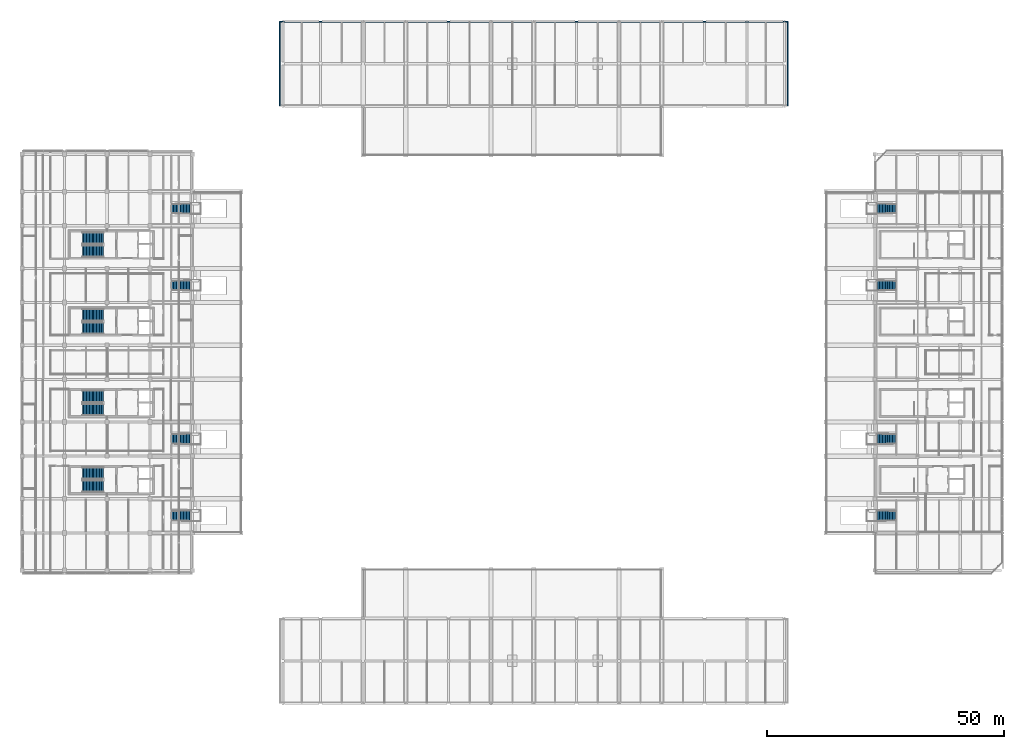
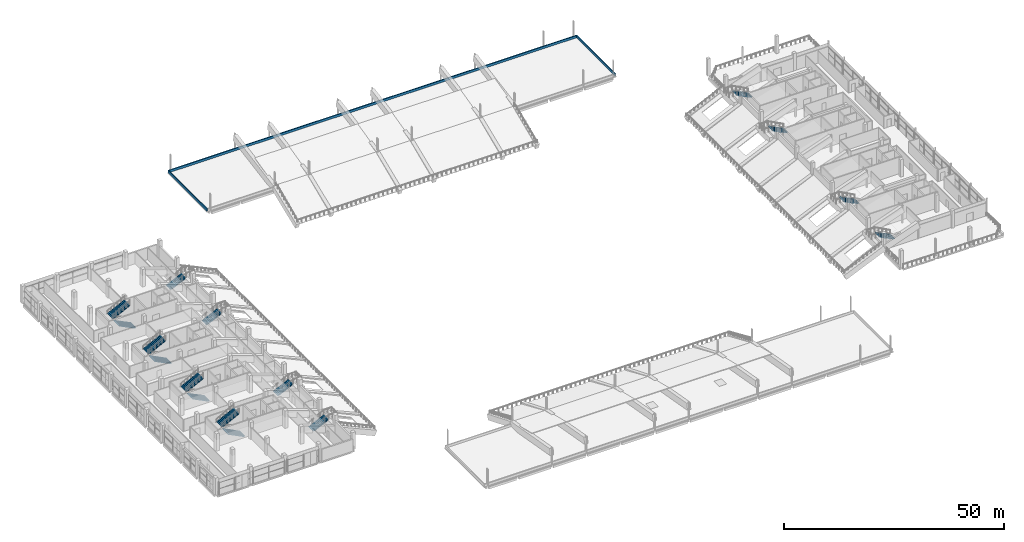
# One storey, part 55 of 66: 16 stair flights, 3 walls, 12 elements without a shape of their own.
"""IFC4 building model written with IfcOpenShell, lengths in metres."""

from ifc_helpers import new_model, si_unit, direction, frame, frame_2d, origin, place, context, subcontext, project, spatial, polyline, rectangle, outline, extrude, material, layer, layer_set, type_object, element, aggregate, save


model = new_model("IFC4")

# Units and contexts
model_context = context("Model", 3, precision=1e-05, world=origin(), true_north=direction((0.0, 1.0)))
body_context = subcontext(model_context, "Body", "Model", "MODEL_VIEW")
ifc_project = project(units=[si_unit("LENGTHUNIT", "METRE"), si_unit("AREAUNIT", "SQUARE_METRE"), si_unit("VOLUMEUNIT", "CUBIC_METRE"), si_unit("PLANEANGLEUNIT", "RADIAN"), si_unit("MASSUNIT", "GRAM", prefix="KILO"), si_unit("THERMODYNAMICTEMPERATUREUNIT", "KELVIN"), si_unit("POWERUNIT", "WATT")], contexts=[model_context])

# Site, building, storey
site_placement = place(None, origin())
site = spatial("IfcSite", under=ifc_project, at=site_placement, CompositionType="ELEMENT")
building_placement = place(site_placement, origin())
building = spatial("IfcBuilding", under=site, at=building_placement, Name="Sindhuravela Promenade Stadium", CompositionType="ELEMENT")
storey_placement = place(building_placement, frame((0.0, 0.0, 19.199951171875)))
storey = spatial("IfcBuildingStorey", under=building, at=storey_placement, Name="L04", CompositionType="ELEMENT", Elevation=19.199951171875)

# Walls
ifc_material_1 = material(Name="Dholpur sandstone ashlar (45 MPa)", Category="masonry")
ifc_layer_1 = layer(ifc_material_1, 0.25)
ifc_layer_set_1 = layer_set([ifc_layer_1], Name="Dholpur sandstone ashlar (45 MPa)")
wall_type_1 = type_object("IfcWallType", Name="EX-WL-PAR250", PredefinedType="PARAPET", material=ifc_layer_set_1)
for number, where, z_axis, x_axis, name in (
    (1, (161.590087890625, 152.840087890625, 0.0), (0.0, 0.0, 1.0), (0.0, -1.0, 0.0), "Maintenance roof parapet NORTH 9"),
    (2, (54.409912109375, 135.159912109375, 0.0), (0.0, 0.0, 1.0), (0.0, 1.0, 0.0), "Maintenance roof parapet NORTH 11"),
):
    element("IfcWall", number, at=place(storey_placement, frame(where, z_axis=z_axis, x_axis=x_axis)), inside=storey, type_object=wall_type_1, Name=name, PredefinedType="PARAPET", context=body_context, shape_type="SweptSolid", body=[
        extrude(rectangle(XDim=17.68017578125, YDim=0.25, at=frame_2d((8.840087890625, 0.0))), origin(), (0.0, 0.0, 1.0), 0.650146484375),
    ])
ifc_material_2 = material(Name="Terracotta clay brick masonry (15 MPa)", Category="masonry")
ifc_layer_2 = layer(ifc_material_2, 0.27001953125)
ifc_layer_set_2 = layer_set([ifc_layer_2], Name="Terracotta clay brick masonry (15 MPa)")
wall_type_2 = type_object("IfcWallType", Name="EX-WL-PAR270", PredefinedType="PARAPET", material=ifc_layer_set_2)
wall_placement = place(storey_placement, frame((54.409912109375, 152.840087890625, 0.0), z_axis=(0.0, 0.0, 1.0), x_axis=(1.0, 0.0, 0.0)))
element("IfcWall", 3, at=wall_placement, inside=storey, type_object=wall_type_2, Name="Maintenance roof parapet NORTH 12", PredefinedType="PARAPET", context=body_context, shape_type="SweptSolid", body=[
    extrude(rectangle(XDim=107.18017578125, YDim=0.27001953125, at=frame_2d((53.590087890625, 0.0))), origin(), (0.0, 0.0, 1.0), 0.650146484375),
])

# Stair, stair flights
ifc_material_3 = material(Name="Concrete M40", Category="concrete")
stair_type_1 = type_object("IfcStairType", Name="ST-CORE-DOGLEG", PredefinedType="HALF_TURN_STAIR", material=ifc_material_3)
stair_1_placement = place(storey_placement, origin())
stair_1 = element("IfcStair", 4, at=stair_1_placement, inside=storey, type_object=stair_type_1, Name="Protected escape stair ST01 (L04)", PredefinedType="HALF_TURN_STAIR")
stair_flight_type_1 = type_object("IfcStairFlightType", Name="SF-CORE-2400", PredefinedType="STRAIGHT", material=ifc_material_3)
stair_flight_1_placement = place(storey_placement, frame((17.25, 54.7900390625, 0.0), z_axis=(0.0, 0.0, 1.0), x_axis=(-1.0, 0.0, 0.0)))
stair_flight_1 = element("IfcStairFlight", 5, at=stair_flight_1_placement, type_object=stair_flight_type_1, Name="Stair ST01 lower flight (L04)", NumberOfRisers=16, NumberOfTreads=15, PredefinedType="STRAIGHT", RiserHeight=0.15, TreadLength=0.3, context=body_context, shape_type="SweptSolid", body=[
    extrude(outline(polyline([(0.0, 0.0), (0.0, 0.14990234375), (0.300048828125, 0.14990234375), (0.300048828125, 0.300048828125), (0.60009765625, 0.300048828125), (0.60009765625, 0.449951171875), (0.89990234375, 0.449951171875), (0.89990234375, 0.60009765625), (1.199951171875, 0.60009765625), (1.199951171875, 0.75), (1.5, 0.75), (1.5, 0.89990234375), (1.800048828125, 0.89990234375), (1.800048828125, 1.050048828125), (2.10009765625, 1.050048828125), (2.10009765625, 1.199951171875), (2.39990234375, 1.199951171875), (2.39990234375, 1.35009765625), (2.699951171875, 1.35009765625), (2.699951171875, 1.5), (3.0, 1.5), (3.0, 1.64990234375), (3.300048828125, 1.64990234375), (3.300048828125, 1.800048828125), (3.60009765625, 1.800048828125), (3.60009765625, 1.949951171875), (3.89990234375, 1.949951171875), (3.89990234375, 2.10009765625), (4.199951171875, 2.10009765625), (4.199951171875, 2.25), (4.5, 2.25), (4.5, 2.39990234375), (4.5, 2.0263671875), (0.447021484375, 0.0), (0.0, 0.0)])), frame((0.0, 1.25, 0.0), z_axis=(0.0, -1.0, 0.0), x_axis=(1.0, 0.0, 0.0)), (0.0, 0.0, 1.0), 2.5),
])
stair_flight_2_placement = place(storey_placement, frame((12.75, 57.610107421875, 2.400146484375), z_axis=(0.0, 0.0, 1.0), x_axis=(1.0, 0.0, 0.0)))
stair_flight_2 = element("IfcStairFlight", 6, at=stair_flight_2_placement, type_object=stair_flight_type_1, Name="Stair ST01 upper flight (L04)", NumberOfRisers=16, NumberOfTreads=15, PredefinedType="STRAIGHT", RiserHeight=0.15, TreadLength=0.3, context=body_context, shape_type="SweptSolid", body=[
    extrude(outline(polyline([(0.0, 0.0), (0.0, 0.14990234375), (0.300048828125, 0.14990234375), (0.300048828125, 0.300048828125), (0.60009765625, 0.300048828125), (0.60009765625, 0.449951171875), (0.89990234375, 0.449951171875), (0.89990234375, 0.60009765625), (1.199951171875, 0.60009765625), (1.199951171875, 0.75), (1.5, 0.75), (1.5, 0.89990234375), (1.800048828125, 0.89990234375), (1.800048828125, 1.050048828125), (2.10009765625, 1.050048828125), (2.10009765625, 1.199951171875), (2.39990234375, 1.199951171875), (2.39990234375, 1.35009765625), (2.699951171875, 1.35009765625), (2.699951171875, 1.5), (3.0, 1.5), (3.0, 1.64990234375), (3.300048828125, 1.64990234375), (3.300048828125, 1.800048828125), (3.60009765625, 1.800048828125), (3.60009765625, 1.949951171875), (3.89990234375, 1.949951171875), (3.89990234375, 2.10009765625), (4.199951171875, 2.10009765625), (4.199951171875, 2.25), (4.5, 2.25), (4.5, 2.39990234375), (4.5, 2.0263671875), (0.447021484375, 0.0), (0.0, 0.0)])), frame((0.0, 1.25, 0.0), z_axis=(0.0, -1.0, 0.0), x_axis=(1.0, 0.0, 0.0)), (0.0, 0.0, 1.0), 2.5),
])
aggregate(stair_1, [stair_flight_1, stair_flight_2])

stair_2_placement = place(storey_placement, origin())
stair_2 = element("IfcStair", 7, at=stair_2_placement, inside=storey, type_object=stair_type_1, Name="Protected escape stair ST02 (L04)", PredefinedType="HALF_TURN_STAIR")
stair_flight_3_placement = place(storey_placement, frame((17.25, 70.989990234375, 0.0), z_axis=(0.0, 0.0, 1.0), x_axis=(-1.0, 0.0, 0.0)))
stair_flight_3 = element("IfcStairFlight", 8, at=stair_flight_3_placement, type_object=stair_flight_type_1, Name="Stair ST02 lower flight (L04)", NumberOfRisers=16, NumberOfTreads=15, PredefinedType="STRAIGHT", RiserHeight=0.15, TreadLength=0.3, context=body_context, shape_type="SweptSolid", body=[
    extrude(outline(polyline([(0.0, 0.0), (0.0, 0.14990234375), (0.300048828125, 0.14990234375), (0.300048828125, 0.300048828125), (0.60009765625, 0.300048828125), (0.60009765625, 0.449951171875), (0.89990234375, 0.449951171875), (0.89990234375, 0.60009765625), (1.199951171875, 0.60009765625), (1.199951171875, 0.75), (1.5, 0.75), (1.5, 0.89990234375), (1.800048828125, 0.89990234375), (1.800048828125, 1.050048828125), (2.10009765625, 1.050048828125), (2.10009765625, 1.199951171875), (2.39990234375, 1.199951171875), (2.39990234375, 1.35009765625), (2.699951171875, 1.35009765625), (2.699951171875, 1.5), (3.0, 1.5), (3.0, 1.64990234375), (3.300048828125, 1.64990234375), (3.300048828125, 1.800048828125), (3.60009765625, 1.800048828125), (3.60009765625, 1.949951171875), (3.89990234375, 1.949951171875), (3.89990234375, 2.10009765625), (4.199951171875, 2.10009765625), (4.199951171875, 2.25), (4.5, 2.25), (4.5, 2.39990234375), (4.5, 2.0263671875), (0.447021484375, 0.0), (0.0, 0.0)])), frame((0.0, 1.25, 0.0), z_axis=(0.0, -1.0, 0.0), x_axis=(1.0, 0.0, 0.0)), (0.0, 0.0, 1.0), 2.5),
])
stair_flight_4_placement = place(storey_placement, frame((12.75, 73.81005859375, 2.400146484375), z_axis=(0.0, 0.0, 1.0), x_axis=(1.0, 0.0, 0.0)))
stair_flight_4 = element("IfcStairFlight", 9, at=stair_flight_4_placement, type_object=stair_flight_type_1, Name="Stair ST02 upper flight (L04)", NumberOfRisers=16, NumberOfTreads=15, PredefinedType="STRAIGHT", RiserHeight=0.15, TreadLength=0.3, context=body_context, shape_type="SweptSolid", body=[
    extrude(outline(polyline([(0.0, 0.0), (0.0, 0.14990234375), (0.300048828125, 0.14990234375), (0.300048828125, 0.300048828125), (0.60009765625, 0.300048828125), (0.60009765625, 0.449951171875), (0.89990234375, 0.449951171875), (0.89990234375, 0.60009765625), (1.199951171875, 0.60009765625), (1.199951171875, 0.75), (1.5, 0.75), (1.5, 0.89990234375), (1.800048828125, 0.89990234375), (1.800048828125, 1.050048828125), (2.10009765625, 1.050048828125), (2.10009765625, 1.199951171875), (2.39990234375, 1.199951171875), (2.39990234375, 1.35009765625), (2.699951171875, 1.35009765625), (2.699951171875, 1.5), (3.0, 1.5), (3.0, 1.64990234375), (3.300048828125, 1.64990234375), (3.300048828125, 1.800048828125), (3.60009765625, 1.800048828125), (3.60009765625, 1.949951171875), (3.89990234375, 1.949951171875), (3.89990234375, 2.10009765625), (4.199951171875, 2.10009765625), (4.199951171875, 2.25), (4.5, 2.25), (4.5, 2.39990234375), (4.5, 2.0263671875), (0.447021484375, 0.0), (0.0, 0.0)])), frame((0.0, 1.25, 0.0), z_axis=(0.0, -1.0, 0.0), x_axis=(1.0, 0.0, 0.0)), (0.0, 0.0, 1.0), 2.5),
])
aggregate(stair_2, [stair_flight_3, stair_flight_4])

stair_3_placement = place(storey_placement, origin())
stair_3 = element("IfcStair", 10, at=stair_3_placement, inside=storey, type_object=stair_type_1, Name="Protected escape stair ST03 (L04)", PredefinedType="HALF_TURN_STAIR")
stair_flight_5_placement = place(storey_placement, frame((17.25, 88.18994140625, 0.0), z_axis=(0.0, 0.0, 1.0), x_axis=(-1.0, 0.0, 0.0)))
stair_flight_5 = element("IfcStairFlight", 11, at=stair_flight_5_placement, type_object=stair_flight_type_1, Name="Stair ST03 lower flight (L04)", NumberOfRisers=16, NumberOfTreads=15, PredefinedType="STRAIGHT", RiserHeight=0.15, TreadLength=0.3, context=body_context, shape_type="SweptSolid", body=[
    extrude(outline(polyline([(0.0, 0.0), (0.0, 0.14990234375), (0.300048828125, 0.14990234375), (0.300048828125, 0.300048828125), (0.60009765625, 0.300048828125), (0.60009765625, 0.449951171875), (0.89990234375, 0.449951171875), (0.89990234375, 0.60009765625), (1.199951171875, 0.60009765625), (1.199951171875, 0.75), (1.5, 0.75), (1.5, 0.89990234375), (1.800048828125, 0.89990234375), (1.800048828125, 1.050048828125), (2.10009765625, 1.050048828125), (2.10009765625, 1.199951171875), (2.39990234375, 1.199951171875), (2.39990234375, 1.35009765625), (2.699951171875, 1.35009765625), (2.699951171875, 1.5), (3.0, 1.5), (3.0, 1.64990234375), (3.300048828125, 1.64990234375), (3.300048828125, 1.800048828125), (3.60009765625, 1.800048828125), (3.60009765625, 1.949951171875), (3.89990234375, 1.949951171875), (3.89990234375, 2.10009765625), (4.199951171875, 2.10009765625), (4.199951171875, 2.25), (4.5, 2.25), (4.5, 2.39990234375), (4.5, 2.0263671875), (0.447021484375, 0.0), (0.0, 0.0)])), frame((0.0, 1.25, 0.0), z_axis=(0.0, -1.0, 0.0), x_axis=(1.0, 0.0, 0.0)), (0.0, 0.0, 1.0), 2.5),
])
stair_flight_6_placement = place(storey_placement, frame((12.75, 91.010009765625, 2.400146484375), z_axis=(0.0, 0.0, 1.0), x_axis=(1.0, 0.0, 0.0)))
stair_flight_6 = element("IfcStairFlight", 12, at=stair_flight_6_placement, type_object=stair_flight_type_1, Name="Stair ST03 upper flight (L04)", NumberOfRisers=16, NumberOfTreads=15, PredefinedType="STRAIGHT", RiserHeight=0.15, TreadLength=0.3, context=body_context, shape_type="SweptSolid", body=[
    extrude(outline(polyline([(0.0, 0.0), (0.0, 0.14990234375), (0.300048828125, 0.14990234375), (0.300048828125, 0.300048828125), (0.60009765625, 0.300048828125), (0.60009765625, 0.449951171875), (0.89990234375, 0.449951171875), (0.89990234375, 0.60009765625), (1.199951171875, 0.60009765625), (1.199951171875, 0.75), (1.5, 0.75), (1.5, 0.89990234375), (1.800048828125, 0.89990234375), (1.800048828125, 1.050048828125), (2.10009765625, 1.050048828125), (2.10009765625, 1.199951171875), (2.39990234375, 1.199951171875), (2.39990234375, 1.35009765625), (2.699951171875, 1.35009765625), (2.699951171875, 1.5), (3.0, 1.5), (3.0, 1.64990234375), (3.300048828125, 1.64990234375), (3.300048828125, 1.800048828125), (3.60009765625, 1.800048828125), (3.60009765625, 1.949951171875), (3.89990234375, 1.949951171875), (3.89990234375, 2.10009765625), (4.199951171875, 2.10009765625), (4.199951171875, 2.25), (4.5, 2.25), (4.5, 2.39990234375), (4.5, 2.0263671875), (0.447021484375, 0.0), (0.0, 0.0)])), frame((0.0, 1.25, 0.0), z_axis=(0.0, -1.0, 0.0), x_axis=(1.0, 0.0, 0.0)), (0.0, 0.0, 1.0), 2.5),
])
aggregate(stair_3, [stair_flight_5, stair_flight_6])

stair_4_placement = place(storey_placement, origin())
stair_4 = element("IfcStair", 13, at=stair_4_placement, inside=storey, type_object=stair_type_1, Name="Protected escape stair ST04 (L04)", PredefinedType="HALF_TURN_STAIR")
stair_flight_7_placement = place(storey_placement, frame((17.25, 104.389892578125, 0.0), z_axis=(0.0, 0.0, 1.0), x_axis=(-1.0, 0.0, 0.0)))
stair_flight_7 = element("IfcStairFlight", 14, at=stair_flight_7_placement, type_object=stair_flight_type_1, Name="Stair ST04 lower flight (L04)", NumberOfRisers=16, NumberOfTreads=15, PredefinedType="STRAIGHT", RiserHeight=0.15, TreadLength=0.3, context=body_context, shape_type="SweptSolid", body=[
    extrude(outline(polyline([(0.0, 0.0), (0.0, 0.14990234375), (0.300048828125, 0.14990234375), (0.300048828125, 0.300048828125), (0.60009765625, 0.300048828125), (0.60009765625, 0.449951171875), (0.89990234375, 0.449951171875), (0.89990234375, 0.60009765625), (1.199951171875, 0.60009765625), (1.199951171875, 0.75), (1.5, 0.75), (1.5, 0.89990234375), (1.800048828125, 0.89990234375), (1.800048828125, 1.050048828125), (2.10009765625, 1.050048828125), (2.10009765625, 1.199951171875), (2.39990234375, 1.199951171875), (2.39990234375, 1.35009765625), (2.699951171875, 1.35009765625), (2.699951171875, 1.5), (3.0, 1.5), (3.0, 1.64990234375), (3.300048828125, 1.64990234375), (3.300048828125, 1.800048828125), (3.60009765625, 1.800048828125), (3.60009765625, 1.949951171875), (3.89990234375, 1.949951171875), (3.89990234375, 2.10009765625), (4.199951171875, 2.10009765625), (4.199951171875, 2.25), (4.5, 2.25), (4.5, 2.39990234375), (4.5, 2.0263671875), (0.447021484375, 0.0), (0.0, 0.0)])), frame((0.0, 1.25, 0.0), z_axis=(0.0, -1.0, 0.0), x_axis=(1.0, 0.0, 0.0)), (0.0, 0.0, 1.0), 2.5),
])
stair_flight_8_placement = place(storey_placement, frame((12.75, 107.2099609375, 2.400146484375), z_axis=(0.0, 0.0, 1.0), x_axis=(1.0, 0.0, 0.0)))
stair_flight_8 = element("IfcStairFlight", 15, at=stair_flight_8_placement, type_object=stair_flight_type_1, Name="Stair ST04 upper flight (L04)", NumberOfRisers=16, NumberOfTreads=15, PredefinedType="STRAIGHT", RiserHeight=0.15, TreadLength=0.3, context=body_context, shape_type="SweptSolid", body=[
    extrude(outline(polyline([(0.0, 0.0), (0.0, 0.14990234375), (0.300048828125, 0.14990234375), (0.300048828125, 0.300048828125), (0.60009765625, 0.300048828125), (0.60009765625, 0.449951171875), (0.89990234375, 0.449951171875), (0.89990234375, 0.60009765625), (1.199951171875, 0.60009765625), (1.199951171875, 0.75), (1.5, 0.75), (1.5, 0.89990234375), (1.800048828125, 0.89990234375), (1.800048828125, 1.050048828125), (2.10009765625, 1.050048828125), (2.10009765625, 1.199951171875), (2.39990234375, 1.199951171875), (2.39990234375, 1.35009765625), (2.699951171875, 1.35009765625), (2.699951171875, 1.5), (3.0, 1.5), (3.0, 1.64990234375), (3.300048828125, 1.64990234375), (3.300048828125, 1.800048828125), (3.60009765625, 1.800048828125), (3.60009765625, 1.949951171875), (3.89990234375, 1.949951171875), (3.89990234375, 2.10009765625), (4.199951171875, 2.10009765625), (4.199951171875, 2.25), (4.5, 2.25), (4.5, 2.39990234375), (4.5, 2.0263671875), (0.447021484375, 0.0), (0.0, 0.0)])), frame((0.0, 1.25, 0.0), z_axis=(0.0, -1.0, 0.0), x_axis=(1.0, 0.0, 0.0)), (0.0, 0.0, 1.0), 2.5),
])
aggregate(stair_4, [stair_flight_7, stair_flight_8])

# Stair, stair flight
stair_type_2 = type_object("IfcStairType", Name="ST-VOM-3", PredefinedType="STRAIGHT_RUN_STAIR", material=ifc_material_3)
stair_5_placement = place(storey_placement, origin())
stair_5 = element("IfcStair", 16, at=stair_5_placement, inside=storey, type_object=stair_type_2, Name="Bowl vomitory stair VS13 (L04)", PredefinedType="STRAIGHT_RUN_STAIR")
stair_flight_type_2 = type_object("IfcStairFlightType", Name="SF-VOM-3", PredefinedType="STRAIGHT", material=ifc_material_3)
stair_flight_9_placement = place(storey_placement, frame((31.64990234375, 64.800048828125, 0.0), z_axis=(0.0, 0.0, 1.0), x_axis=(1.0, 0.0, 0.0)))
stair_flight_9 = element("IfcStairFlight", 17, at=stair_flight_9_placement, type_object=stair_flight_type_2, Name="Vomitory VS13 flight", NumberOfRisers=14, NumberOfTreads=13, PredefinedType="STRAIGHT", RiserHeight=0.15, TreadLength=0.31, context=body_context, shape_type="SweptSolid", body=[
    extrude(outline(polyline([(0.0, 0.0), (0.0, 0.14990234375), (0.31005859375, 0.14990234375), (0.31005859375, 0.300048828125), (0.6201171875, 0.300048828125), (0.6201171875, 0.449951171875), (0.929931640625, 0.449951171875), (0.929931640625, 0.60009765625), (1.239990234375, 0.60009765625), (1.239990234375, 0.75), (1.550048828125, 0.75), (1.550048828125, 0.89990234375), (1.860107421875, 0.89990234375), (1.860107421875, 1.050048828125), (2.169921875, 1.050048828125), (2.169921875, 1.199951171875), (2.47998046875, 1.199951171875), (2.47998046875, 1.35009765625), (2.7900390625, 1.35009765625), (2.7900390625, 1.5), (3.10009765625, 1.5), (3.10009765625, 1.64990234375), (3.409912109375, 1.64990234375), (3.409912109375, 1.800048828125), (3.719970703125, 1.800048828125), (3.719970703125, 1.949951171875), (4.030029296875, 1.949951171875), (4.030029296875, 2.10009765625), (4.030029296875, 1.70556640625), (0.505126953125, 0.0), (0.0, 0.0)])), frame((0.0, 1.06005859375, 0.0), z_axis=(0.0, -1.0, 0.0), x_axis=(1.0, 0.0, 0.0)), (0.0, 0.0, 1.0), 2.1201171875),
])
aggregate(stair_5, [stair_flight_9])

stair_6_placement = place(storey_placement, origin())
stair_6 = element("IfcStair", 18, at=stair_6_placement, inside=storey, type_object=stair_type_2, Name="Bowl vomitory stair VS15 (L04)", PredefinedType="STRAIGHT_RUN_STAIR")
stair_flight_10_placement = place(storey_placement, frame((184.35009765625, 64.800048828125, 0.0), z_axis=(0.0, 0.0, 1.0), x_axis=(-1.0, 0.0, 0.0)))
stair_flight_10 = element("IfcStairFlight", 19, at=stair_flight_10_placement, type_object=stair_flight_type_2, Name="Vomitory VS15 flight", NumberOfRisers=14, NumberOfTreads=13, PredefinedType="STRAIGHT", RiserHeight=0.15, TreadLength=0.31, context=body_context, shape_type="SweptSolid", body=[
    extrude(outline(polyline([(0.0, 0.0), (0.0, 0.14990234375), (0.31005859375, 0.14990234375), (0.31005859375, 0.300048828125), (0.6201171875, 0.300048828125), (0.6201171875, 0.449951171875), (0.929931640625, 0.449951171875), (0.929931640625, 0.60009765625), (1.239990234375, 0.60009765625), (1.239990234375, 0.75), (1.550048828125, 0.75), (1.550048828125, 0.89990234375), (1.860107421875, 0.89990234375), (1.860107421875, 1.050048828125), (2.169921875, 1.050048828125), (2.169921875, 1.199951171875), (2.47998046875, 1.199951171875), (2.47998046875, 1.35009765625), (2.7900390625, 1.35009765625), (2.7900390625, 1.5), (3.10009765625, 1.5), (3.10009765625, 1.64990234375), (3.409912109375, 1.64990234375), (3.409912109375, 1.800048828125), (3.719970703125, 1.800048828125), (3.719970703125, 1.949951171875), (4.030029296875, 1.949951171875), (4.030029296875, 2.10009765625), (4.030029296875, 1.70556640625), (0.505126953125, 0.0), (0.0, 0.0)])), frame((0.0, 1.06005859375, 0.0), z_axis=(0.0, -1.0, 0.0), x_axis=(1.0, 0.0, 0.0)), (0.0, 0.0, 1.0), 2.1201171875),
])
aggregate(stair_6, [stair_flight_10])

stair_7_placement = place(storey_placement, origin())
stair_7 = element("IfcStair", 20, at=stair_7_placement, inside=storey, type_object=stair_type_2, Name="Bowl vomitory stair CS01 (L04)", PredefinedType="STRAIGHT_RUN_STAIR")
stair_flight_11_placement = place(storey_placement, frame((31.64990234375, 48.60009765625, 0.0), z_axis=(0.0, 0.0, 1.0), x_axis=(1.0, 0.0, 0.0)))
stair_flight_11 = element("IfcStairFlight", 21, at=stair_flight_11_placement, type_object=stair_flight_type_2, Name="Vomitory CS01 flight", NumberOfRisers=14, NumberOfTreads=13, PredefinedType="STRAIGHT", RiserHeight=0.15, TreadLength=0.31, context=body_context, shape_type="SweptSolid", body=[
    extrude(outline(polyline([(0.0, 0.0), (0.0, 0.14990234375), (0.31005859375, 0.14990234375), (0.31005859375, 0.300048828125), (0.6201171875, 0.300048828125), (0.6201171875, 0.449951171875), (0.929931640625, 0.449951171875), (0.929931640625, 0.60009765625), (1.239990234375, 0.60009765625), (1.239990234375, 0.75), (1.550048828125, 0.75), (1.550048828125, 0.89990234375), (1.860107421875, 0.89990234375), (1.860107421875, 1.050048828125), (2.169921875, 1.050048828125), (2.169921875, 1.199951171875), (2.47998046875, 1.199951171875), (2.47998046875, 1.35009765625), (2.7900390625, 1.35009765625), (2.7900390625, 1.5), (3.10009765625, 1.5), (3.10009765625, 1.64990234375), (3.409912109375, 1.64990234375), (3.409912109375, 1.800048828125), (3.719970703125, 1.800048828125), (3.719970703125, 1.949951171875), (4.030029296875, 1.949951171875), (4.030029296875, 2.10009765625), (4.030029296875, 1.70556640625), (0.505126953125, 0.0), (0.0, 0.0)])), frame((0.0, 1.06005859375, 0.0), z_axis=(0.0, -1.0, 0.0), x_axis=(1.0, 0.0, 0.0)), (0.0, 0.0, 1.0), 2.1201171875),
])
aggregate(stair_7, [stair_flight_11])

stair_8_placement = place(storey_placement, origin())
stair_8 = element("IfcStair", 22, at=stair_8_placement, inside=storey, type_object=stair_type_2, Name="Bowl vomitory stair CS03 (L04)", PredefinedType="STRAIGHT_RUN_STAIR")
stair_flight_12_placement = place(storey_placement, frame((184.35009765625, 48.60009765625, 0.0), z_axis=(0.0, 0.0, 1.0), x_axis=(-1.0, 0.0, 0.0)))
stair_flight_12 = element("IfcStairFlight", 23, at=stair_flight_12_placement, type_object=stair_flight_type_2, Name="Vomitory CS03 flight", NumberOfRisers=14, NumberOfTreads=13, PredefinedType="STRAIGHT", RiserHeight=0.15, TreadLength=0.31, context=body_context, shape_type="SweptSolid", body=[
    extrude(outline(polyline([(0.0, 0.0), (0.0, 0.14990234375), (0.31005859375, 0.14990234375), (0.31005859375, 0.300048828125), (0.6201171875, 0.300048828125), (0.6201171875, 0.449951171875), (0.929931640625, 0.449951171875), (0.929931640625, 0.60009765625), (1.239990234375, 0.60009765625), (1.239990234375, 0.75), (1.550048828125, 0.75), (1.550048828125, 0.89990234375), (1.860107421875, 0.89990234375), (1.860107421875, 1.050048828125), (2.169921875, 1.050048828125), (2.169921875, 1.199951171875), (2.47998046875, 1.199951171875), (2.47998046875, 1.35009765625), (2.7900390625, 1.35009765625), (2.7900390625, 1.5), (3.10009765625, 1.5), (3.10009765625, 1.64990234375), (3.409912109375, 1.64990234375), (3.409912109375, 1.800048828125), (3.719970703125, 1.800048828125), (3.719970703125, 1.949951171875), (4.030029296875, 1.949951171875), (4.030029296875, 2.10009765625), (4.030029296875, 1.70556640625), (0.505126953125, 0.0), (0.0, 0.0)])), frame((0.0, 1.06005859375, 0.0), z_axis=(0.0, -1.0, 0.0), x_axis=(1.0, 0.0, 0.0)), (0.0, 0.0, 1.0), 2.1201171875),
])
aggregate(stair_8, [stair_flight_12])

stair_type_3 = type_object("IfcStairType", Name="ST-VOM-4", PredefinedType="STRAIGHT_RUN_STAIR", material=ifc_material_3)
stair_9_placement = place(storey_placement, origin())
stair_9 = element("IfcStair", 24, at=stair_9_placement, inside=storey, type_object=stair_type_3, Name="Bowl vomitory stair VS14 (L04)", PredefinedType="STRAIGHT_RUN_STAIR")
stair_flight_type_3 = type_object("IfcStairFlightType", Name="SF-VOM-4", PredefinedType="STRAIGHT", material=ifc_material_3)
stair_flight_13_placement = place(storey_placement, frame((31.64990234375, 97.199951171875, 0.0), z_axis=(0.0, 0.0, 1.0), x_axis=(1.0, 0.0, 0.0)))
stair_flight_13 = element("IfcStairFlight", 25, at=stair_flight_13_placement, type_object=stair_flight_type_3, Name="Vomitory VS14 flight", NumberOfRisers=14, NumberOfTreads=13, PredefinedType="STRAIGHT", RiserHeight=0.15, TreadLength=0.31, context=body_context, shape_type="SweptSolid", body=[
    extrude(outline(polyline([(0.0, 0.0), (0.0, 0.14990234375), (0.31005859375, 0.14990234375), (0.31005859375, 0.300048828125), (0.6201171875, 0.300048828125), (0.6201171875, 0.449951171875), (0.929931640625, 0.449951171875), (0.929931640625, 0.60009765625), (1.239990234375, 0.60009765625), (1.239990234375, 0.75), (1.550048828125, 0.75), (1.550048828125, 0.89990234375), (1.860107421875, 0.89990234375), (1.860107421875, 1.050048828125), (2.169921875, 1.050048828125), (2.169921875, 1.199951171875), (2.47998046875, 1.199951171875), (2.47998046875, 1.35009765625), (2.7900390625, 1.35009765625), (2.7900390625, 1.5), (3.10009765625, 1.5), (3.10009765625, 1.64990234375), (3.409912109375, 1.64990234375), (3.409912109375, 1.800048828125), (3.719970703125, 1.800048828125), (3.719970703125, 1.949951171875), (4.030029296875, 1.949951171875), (4.030029296875, 2.10009765625), (4.030029296875, 1.70556640625), (0.505126953125, 0.0), (0.0, 0.0)])), frame((0.0, 1.02001953125, 0.0), z_axis=(0.0, -1.0, 0.0), x_axis=(1.0, 0.0, 0.0)), (0.0, 0.0, 1.0), 2.0400390625),
])
aggregate(stair_9, [stair_flight_13])

stair_10_placement = place(storey_placement, origin())
stair_10 = element("IfcStair", 26, at=stair_10_placement, inside=storey, type_object=stair_type_3, Name="Bowl vomitory stair VS16 (L04)", PredefinedType="STRAIGHT_RUN_STAIR")
stair_flight_14_placement = place(storey_placement, frame((184.35009765625, 97.199951171875, 0.0), z_axis=(0.0, 0.0, 1.0), x_axis=(-1.0, 0.0, 0.0)))
stair_flight_14 = element("IfcStairFlight", 27, at=stair_flight_14_placement, type_object=stair_flight_type_3, Name="Vomitory VS16 flight", NumberOfRisers=14, NumberOfTreads=13, PredefinedType="STRAIGHT", RiserHeight=0.15, TreadLength=0.31, context=body_context, shape_type="SweptSolid", body=[
    extrude(outline(polyline([(0.0, 0.0), (0.0, 0.14990234375), (0.31005859375, 0.14990234375), (0.31005859375, 0.300048828125), (0.6201171875, 0.300048828125), (0.6201171875, 0.449951171875), (0.929931640625, 0.449951171875), (0.929931640625, 0.60009765625), (1.239990234375, 0.60009765625), (1.239990234375, 0.75), (1.550048828125, 0.75), (1.550048828125, 0.89990234375), (1.860107421875, 0.89990234375), (1.860107421875, 1.050048828125), (2.169921875, 1.050048828125), (2.169921875, 1.199951171875), (2.47998046875, 1.199951171875), (2.47998046875, 1.35009765625), (2.7900390625, 1.35009765625), (2.7900390625, 1.5), (3.10009765625, 1.5), (3.10009765625, 1.64990234375), (3.409912109375, 1.64990234375), (3.409912109375, 1.800048828125), (3.719970703125, 1.800048828125), (3.719970703125, 1.949951171875), (4.030029296875, 1.949951171875), (4.030029296875, 2.10009765625), (4.030029296875, 1.70556640625), (0.505126953125, 0.0), (0.0, 0.0)])), frame((0.0, 1.02001953125, 0.0), z_axis=(0.0, -1.0, 0.0), x_axis=(1.0, 0.0, 0.0)), (0.0, 0.0, 1.0), 2.0400390625),
])
aggregate(stair_10, [stair_flight_14])

stair_11_placement = place(storey_placement, origin())
stair_11 = element("IfcStair", 28, at=stair_11_placement, inside=storey, type_object=stair_type_3, Name="Bowl vomitory stair CS02 (L04)", PredefinedType="STRAIGHT_RUN_STAIR")
stair_flight_15_placement = place(storey_placement, frame((31.64990234375, 113.39990234375, 0.0), z_axis=(0.0, 0.0, 1.0), x_axis=(1.0, 0.0, 0.0)))
stair_flight_15 = element("IfcStairFlight", 29, at=stair_flight_15_placement, type_object=stair_flight_type_3, Name="Vomitory CS02 flight", NumberOfRisers=14, NumberOfTreads=13, PredefinedType="STRAIGHT", RiserHeight=0.15, TreadLength=0.31, context=body_context, shape_type="SweptSolid", body=[
    extrude(outline(polyline([(0.0, 0.0), (0.0, 0.14990234375), (0.31005859375, 0.14990234375), (0.31005859375, 0.300048828125), (0.6201171875, 0.300048828125), (0.6201171875, 0.449951171875), (0.929931640625, 0.449951171875), (0.929931640625, 0.60009765625), (1.239990234375, 0.60009765625), (1.239990234375, 0.75), (1.550048828125, 0.75), (1.550048828125, 0.89990234375), (1.860107421875, 0.89990234375), (1.860107421875, 1.050048828125), (2.169921875, 1.050048828125), (2.169921875, 1.199951171875), (2.47998046875, 1.199951171875), (2.47998046875, 1.35009765625), (2.7900390625, 1.35009765625), (2.7900390625, 1.5), (3.10009765625, 1.5), (3.10009765625, 1.64990234375), (3.409912109375, 1.64990234375), (3.409912109375, 1.800048828125), (3.719970703125, 1.800048828125), (3.719970703125, 1.949951171875), (4.030029296875, 1.949951171875), (4.030029296875, 2.10009765625), (4.030029296875, 1.70556640625), (0.505126953125, 0.0), (0.0, 0.0)])), frame((0.0, 1.02001953125, 0.0), z_axis=(0.0, -1.0, 0.0), x_axis=(1.0, 0.0, 0.0)), (0.0, 0.0, 1.0), 2.0400390625),
])
aggregate(stair_11, [stair_flight_15])

stair_12_placement = place(storey_placement, origin())
stair_12 = element("IfcStair", 30, at=stair_12_placement, inside=storey, type_object=stair_type_3, Name="Bowl vomitory stair CS04 (L04)", PredefinedType="STRAIGHT_RUN_STAIR")
stair_flight_16_placement = place(storey_placement, frame((184.35009765625, 113.39990234375, 0.0), z_axis=(0.0, 0.0, 1.0), x_axis=(-1.0, 0.0, 0.0)))
stair_flight_16 = element("IfcStairFlight", 31, at=stair_flight_16_placement, type_object=stair_flight_type_3, Name="Vomitory CS04 flight", NumberOfRisers=14, NumberOfTreads=13, PredefinedType="STRAIGHT", RiserHeight=0.15, TreadLength=0.31, context=body_context, shape_type="SweptSolid", body=[
    extrude(outline(polyline([(0.0, 0.0), (0.0, 0.14990234375), (0.31005859375, 0.14990234375), (0.31005859375, 0.300048828125), (0.6201171875, 0.300048828125), (0.6201171875, 0.449951171875), (0.929931640625, 0.449951171875), (0.929931640625, 0.60009765625), (1.239990234375, 0.60009765625), (1.239990234375, 0.75), (1.550048828125, 0.75), (1.550048828125, 0.89990234375), (1.860107421875, 0.89990234375), (1.860107421875, 1.050048828125), (2.169921875, 1.050048828125), (2.169921875, 1.199951171875), (2.47998046875, 1.199951171875), (2.47998046875, 1.35009765625), (2.7900390625, 1.35009765625), (2.7900390625, 1.5), (3.10009765625, 1.5), (3.10009765625, 1.64990234375), (3.409912109375, 1.64990234375), (3.409912109375, 1.800048828125), (3.719970703125, 1.800048828125), (3.719970703125, 1.949951171875), (4.030029296875, 1.949951171875), (4.030029296875, 2.10009765625), (4.030029296875, 1.70556640625), (0.505126953125, 0.0), (0.0, 0.0)])), frame((0.0, 1.02001953125, 0.0), z_axis=(0.0, -1.0, 0.0), x_axis=(1.0, 0.0, 0.0)), (0.0, 0.0, 1.0), 2.0400390625),
])
aggregate(stair_12, [stair_flight_16])

save(model, "model.ifc")
